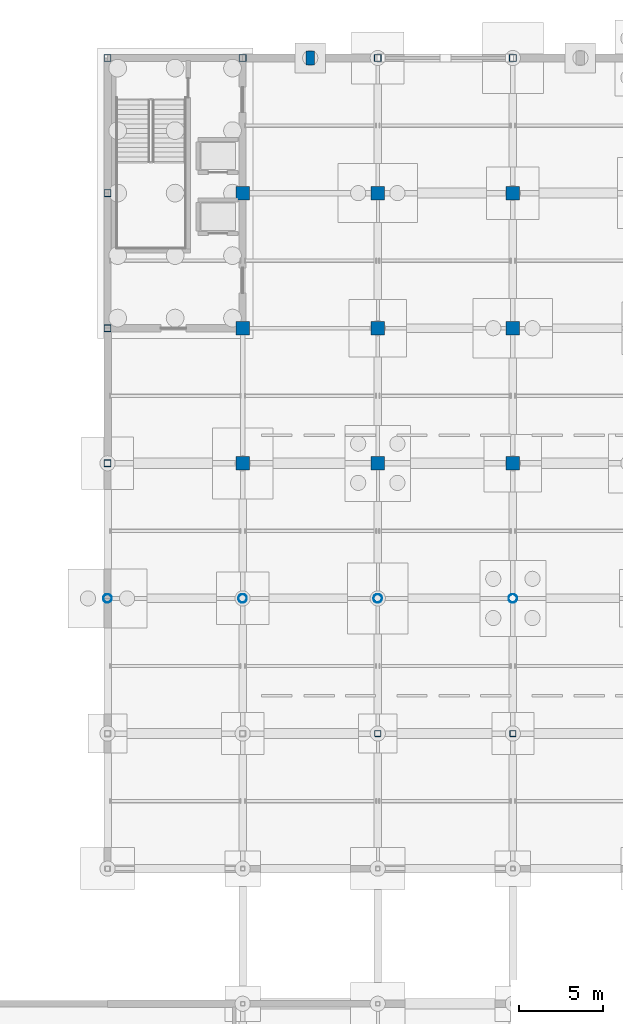
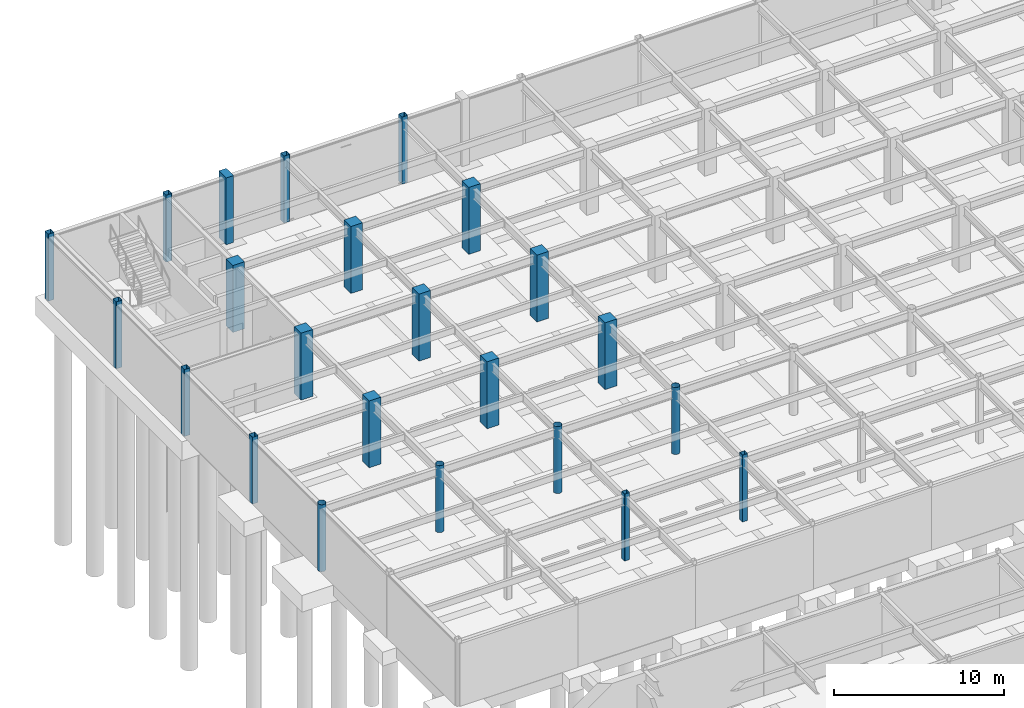
# One storey, part 27 of 105: 23 columns.
"""IFC4 building model written with IfcOpenShell, lengths in metres."""

from ifc_helpers import new_model, si_unit, direction, frame, origin, origin_2d, place, context, subcontext, project, spatial, rectangle, hollow_rectangle, hollow_circle, extrude, material, material_profile, profile_set, type_object, element, save


model = new_model("IFC4")

# Units and contexts
model_context = context("Model", 3, precision=1e-05, world=origin(), true_north=direction((0.0, 1.0)))
body_context = subcontext(model_context, "Body", "Model", "MODEL_VIEW")
ifc_project = project(units=[si_unit("LENGTHUNIT", "METRE"), si_unit("AREAUNIT", "SQUARE_METRE"), si_unit("VOLUMEUNIT", "CUBIC_METRE"), si_unit("PLANEANGLEUNIT", "RADIAN"), si_unit("MASSUNIT", "GRAM", prefix="KILO")], contexts=[model_context])

# Site, building, storey
site_placement = place(None, origin())
site = spatial("IfcSite", under=ifc_project, at=site_placement, CompositionType="ELEMENT")
building_placement = place(site_placement, origin())
building = spatial("IfcBuilding", under=site, at=building_placement, Name="Solmirada Galleria", CompositionType="ELEMENT")
storey_placement = place(building_placement, frame((0.0, 0.0, -4.800048828125)))
storey = spatial("IfcBuildingStorey", under=building, at=storey_placement, Name="B1", CompositionType="ELEMENT", Elevation=-4.800048828125)

# Columns
ifc_material_1 = material(Name="Steel S355 / ASTM A500 Grade C", Category="steel")
ifc_material_profile_1 = material_profile(ifc_material_1, hollow_circle(Radius=0.25390625, WallThickness=0.01171875, at=origin_2d()), Name="HSS20.000X0.500")
ifc_profile_set_1 = profile_set([ifc_material_profile_1], Name="Steel S355 / ASTM A500 Grade C")
column_type_1 = type_object("IfcColumnType", Name="COL-CHS20", PredefinedType="COLUMN", material=ifc_profile_set_1)
for number, where, z_axis, x_axis, name in (
    (1, (40.0, 88.0, 0.0), (0.0, 0.0, 1.0), (1.0, 0.0, 0.0), "Structural column B1-0045"),
    (2, (48.0, 88.0, 0.0), (0.0, 0.0, 1.0), (1.0, 0.0, 0.0), "Structural column B1-0112"),
    (3, (56.0, 88.0, 0.0), (0.0, 0.0, 1.0), (1.0, 0.0, 0.0), "Structural column B1-0179"),
    (4, (64.0, 88.0, 0.0), (0.0, 0.0, 1.0), (1.0, 0.0, 0.0), "Structural column B1-0243"),
):
    element("IfcColumn", number, at=place(storey_placement, frame(where, z_axis=z_axis, x_axis=x_axis)), inside=storey, type_object=column_type_1, Name=name, PredefinedType="COLUMN", context=body_context, shape_type="SweptSolid", body=[
        extrude(hollow_circle(Radius=0.25390625, WallThickness=0.01171875, at=origin_2d()), origin(), (0.0, 0.0, 1.0), 4.800048828125),
    ])
ifc_material_profile_2 = material_profile(ifc_material_1, hollow_rectangle(XDim=0.35595703125, YDim=0.35595703125, WallThickness=0.01171875, InnerFilletRadius=0.01171875, OuterFilletRadius=0.023681640625, at=origin_2d()), Name="HSS14X14X1/2")
ifc_profile_set_2 = profile_set([ifc_material_profile_2], Name="Steel S355 / ASTM A500 Grade C")
column_type_2 = type_object("IfcColumnType", Name="COL-HSS14", PredefinedType="COLUMN", material=ifc_profile_set_2)
for number, where, z_axis, x_axis, name in (
    (5, (56.0, 80.0, 0.0), (0.0, 0.0, 1.0), (1.0, 0.0, 0.0), "Structural column B1-0175"),
    (6, (64.0, 80.0, 0.0), (0.0, 0.0, 1.0), (1.0, 0.0, 0.0), "Structural column B1-0239"),
):
    element("IfcColumn", number, at=place(storey_placement, frame(where, z_axis=z_axis, x_axis=x_axis)), inside=storey, type_object=column_type_2, Name=name, PredefinedType="COLUMN", context=body_context, shape_type="SweptSolid", body=[
        extrude(hollow_rectangle(XDim=0.35595703125, YDim=0.35595703125, WallThickness=0.01171875, InnerFilletRadius=0.01171875, OuterFilletRadius=0.023681640625, at=origin_2d()), origin(), (0.0, 0.0, 1.0), 4.800048828125),
    ])
ifc_material_profile_3 = material_profile(ifc_material_1, hollow_rectangle(XDim=0.406005859375, YDim=0.406005859375, WallThickness=0.0146484375, InnerFilletRadius=0.0146484375, OuterFilletRadius=0.029296875, at=origin_2d()), Name="HSS16X16X5/8")
ifc_profile_set_3 = profile_set([ifc_material_profile_3], Name="Steel S355 / ASTM A500 Grade C")
column_type_3 = type_object("IfcColumnType", Name="COL-HSS16", PredefinedType="COLUMN", material=ifc_profile_set_3)
for number, where, z_axis, x_axis, name in (
    (7, (40.0, 96.0, 0.0), (0.0, 0.0, 1.0), (1.0, 0.0, 0.0), "Structural column B1-0052"),
    (8, (40.0, 104.0, 0.0), (0.0, 0.0, 1.0), (1.0, 0.0, 0.0), "Structural column B1-0059"),
    (9, (40.0, 112.0, 0.0), (0.0, 0.0, 1.0), (1.0, 0.0, 0.0), "Structural column B1-0066"),
    (10, (40.0, 120.0, 0.0), (0.0, 0.0, 1.0), (1.0, 0.0, 0.0), "Structural column B1-0073"),
    (11, (48.0, 120.0, 0.0), (0.0, 0.0, 1.0), (1.0, 0.0, 0.0), "Structural column B1-0140"),
    (12, (56.0, 120.0, 0.0), (0.0, 0.0, 1.0), (1.0, 0.0, 0.0), "Structural column B1-0207"),
    (13, (64.0, 120.0, 0.0), (0.0, 0.0, 1.0), (1.0, 0.0, 0.0), "Structural column B1-0271"),
):
    element("IfcColumn", number, at=place(storey_placement, frame(where, z_axis=z_axis, x_axis=x_axis)), inside=storey, type_object=column_type_3, Name=name, PredefinedType="COLUMN", context=body_context, shape_type="SweptSolid", body=[
        extrude(hollow_rectangle(XDim=0.406005859375, YDim=0.406005859375, WallThickness=0.0146484375, InnerFilletRadius=0.0146484375, OuterFilletRadius=0.029296875, at=origin_2d()), origin(), (0.0, 0.0, 1.0), 4.800048828125),
    ])
ifc_material_2 = material(Name="Concrete C40/50", Category="concrete")
ifc_material_profile_4 = material_profile(ifc_material_2, rectangle(XDim=0.800048828125, YDim=0.800048828125, at=origin_2d()), Name="RC800X800")
ifc_profile_set_4 = profile_set([ifc_material_profile_4], Name="Concrete C40/50")
column_type_4 = type_object("IfcColumnType", Name="COL-RC800", PredefinedType="COLUMN", material=ifc_profile_set_4)
for number, where, z_axis, x_axis, name in (
    (14, (48.0, 96.0, 0.0), (0.0, 0.0, 1.0), (1.0, 0.0, 0.0), "Structural column B1-0119"),
    (15, (48.0, 104.0, 0.0), (0.0, 0.0, 1.0), (1.0, 0.0, 0.0), "Structural column B1-0126"),
    (16, (48.0, 112.0, 0.0), (0.0, 0.0, 1.0), (1.0, 0.0, 0.0), "Structural column B1-0133"),
    (17, (56.0, 96.0, 0.0), (0.0, 0.0, 1.0), (1.0, 0.0, 0.0), "Structural column B1-0186"),
    (18, (56.0, 104.0, 0.0), (0.0, 0.0, 1.0), (1.0, 0.0, 0.0), "Structural column B1-0193"),
    (19, (56.0, 112.0, 0.0), (0.0, 0.0, 1.0), (1.0, 0.0, 0.0), "Structural column B1-0200"),
    (20, (64.0, 96.0, 0.0), (0.0, 0.0, 1.0), (1.0, 0.0, 0.0), "Structural column B1-0250"),
    (21, (64.0, 104.0, 0.0), (0.0, 0.0, 1.0), (1.0, 0.0, 0.0), "Structural column B1-0257"),
    (22, (64.0, 112.0, 0.0), (0.0, 0.0, 1.0), (1.0, 0.0, 0.0), "Structural column B1-0264"),
):
    element("IfcColumn", number, at=place(storey_placement, frame(where, z_axis=z_axis, x_axis=x_axis)), inside=storey, type_object=column_type_4, Name=name, PredefinedType="COLUMN", context=body_context, shape_type="SweptSolid", body=[
        extrude(rectangle(XDim=0.800048828125, YDim=0.800048828125, at=origin_2d()), origin(), (0.0, 0.0, 1.0), 4.800048828125),
    ])
ifc_material_3 = material(Name="Precast concrete C40/50", Category="concrete")
ifc_material_profile_5 = material_profile(ifc_material_3, rectangle(XDim=0.5, YDim=0.85009765625, at=origin_2d()), Name="RC850X500")
ifc_profile_set_5 = profile_set([ifc_material_profile_5], Name="Precast concrete C40/50")
column_type_5 = type_object("IfcColumnType", Name="PIL-RC850", PredefinedType="PILASTER", material=ifc_profile_set_5)
column_placement = place(storey_placement, frame((52.0, 120.0, 0.0), z_axis=(0.0, 0.0, 1.0), x_axis=(1.0, 0.0, 0.0)))
element("IfcColumn", 23, at=column_placement, inside=storey, type_object=column_type_5, Name="Avenue pilaster B1-001", PredefinedType="PILASTER", context=body_context, shape_type="SweptSolid", body=[
    extrude(rectangle(XDim=0.5, YDim=0.85009765625, at=origin_2d()), origin(), (0.0, 0.0, 1.0), 4.800048828125),
])

save(model, "model.ifc")
